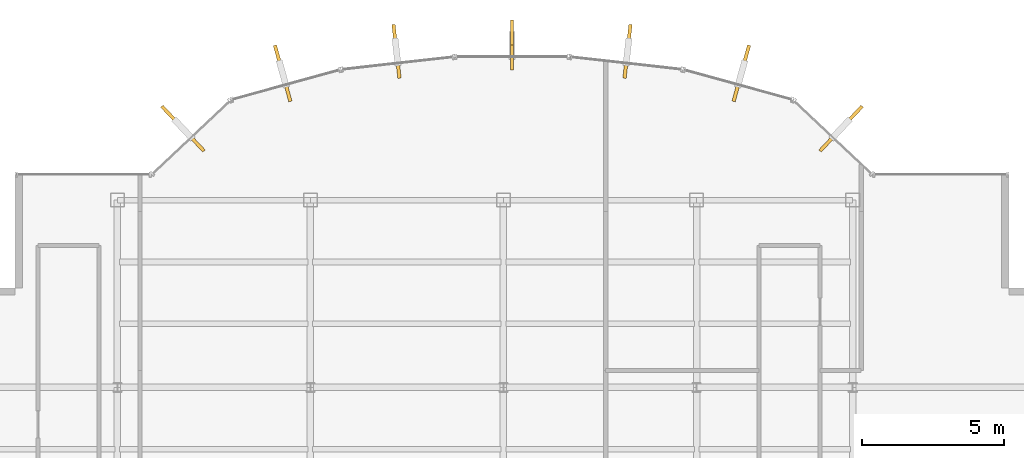
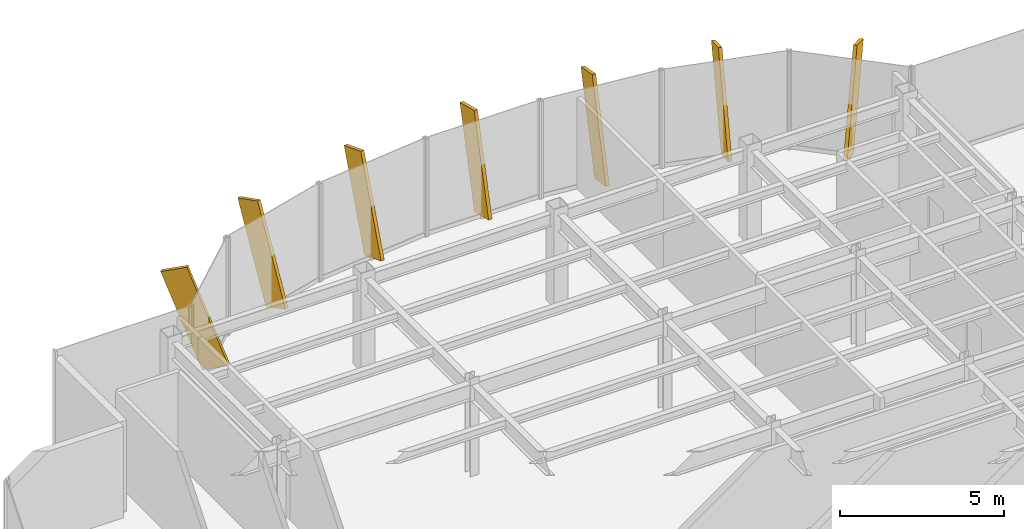
# One storey, part 21 of 22: 7 shading devices.
"""IFC4 building model written with IfcOpenShell, lengths in metres."""

from ifc_helpers import new_model, si_unit, derived_unit, direction, frame, origin, origin_2d, place, context, subcontext, project, spatial, rectangle, extrude, source, transform, mapped, material, type_object, element, save


model = new_model("IFC4")

# Units and contexts
model_context = context("Model", 3, precision=1e-05, world=origin(), true_north=direction((0.0, 1.0)))
body_context = subcontext(model_context, "Body", "Model", "MODEL_VIEW")
ifc_project = project(units=[si_unit("LENGTHUNIT", "METRE"), si_unit("AREAUNIT", "SQUARE_METRE"), si_unit("VOLUMEUNIT", "CUBIC_METRE"), si_unit("PLANEANGLEUNIT", "RADIAN"), si_unit("MASSUNIT", "GRAM", prefix="KILO"), derived_unit("THERMALTRANSMITTANCEUNIT", [(si_unit("POWERUNIT", "WATT"), 1), (si_unit("LENGTHUNIT", "METRE"), -2), (si_unit("THERMODYNAMICTEMPERATUREUNIT", "KELVIN"), -1)])], contexts=[model_context])

# Site, building, storey
site_placement = place(None, origin())
site = spatial("IfcSite", under=ifc_project, at=site_placement, CompositionType="ELEMENT")
building_placement = place(site_placement, origin())
building = spatial("IfcBuilding", under=site, at=building_placement, Name="Skarnbrae Concourse Arena and Tower", CompositionType="ELEMENT")
storey_placement = place(building_placement, frame((0.0, 0.0, 284.35009765625)))
storey = spatial("IfcBuildingStorey", under=building, at=storey_placement, Name="L74", CompositionType="ELEMENT", Elevation=284.35009765625)

# Shading devices
ifc_material = material(Name="Bronze anodised aluminium 6063-T6", Category="aluminium")
shading_device_type = type_object("IfcShadingDeviceType", Name="SHD-BRONZE-FIN-900", PredefinedType="USERDEFINED", material=ifc_material)
shared_shape = source(origin(), body_context, "Body", "SweptSolid", [
    extrude(rectangle(XDim=0.1201171875, YDim=0.89990234375, at=origin_2d()), origin(), (0.0, 0.0, 1.0), 3.64990234375),
])
for number, where, z_axis, x_axis, name in (
    (1, (32.63720703125, 36.435302734375, 0.125244140625), (0.249654525872, 0.265205022033, 0.931310320999), (0.728131751529, -0.685437198009, 0.0), "L74 Outward-leaning bronze shading fin 08"),
    (2, (29.419921875, 38.288330078125, 0.101318359375), (0.087333025047, 0.316887720193, 0.944433753911), (0.964058316208, -0.265690728011, 0.0), "L74 Outward-leaning bronze shading fin 09"),
    (3, (25.51025390625, 39.12060546875, 0.076171875), (0.031877702712, 0.284240906458, 0.95822279203), (0.993769864509, -0.111451587667, 0.0), "L74 Outward-leaning bronze shading fin 10"),
    (4, (21.5, 39.42529296875, 0.05419921875), (0.0, 0.2419218956, 0.970295726276), (1.0, 0.0, 0.0), "L74 Outward-leaning bronze shading fin 11"),
    (5, (17.48974609375, 39.12060546875, 0.076171875), (-0.031877702712, 0.284240906458, 0.95822279203), (0.993769864509, 0.111451587667, 0.0), "L74 Outward-leaning bronze shading fin 12"),
    (6, (13.580078125, 38.288330078125, 0.101318359375), (-0.087333025047, 0.316887720193, 0.944433753911), (0.964058316208, 0.265690728011, 0.0), "L74 Outward-leaning bronze shading fin 13"),
    (7, (10.36279296875, 36.435302734375, 0.125244140625), (-0.249654525872, 0.265205022033, 0.931310320999), (0.728131751529, 0.685437198009, 0.0), "L74 Outward-leaning bronze shading fin 14"),
):
    element("IfcShadingDevice", number, at=place(storey_placement, frame(where, z_axis=z_axis, x_axis=x_axis)), inside=storey, type_object=shading_device_type, Name=name, ObjectType="FIN", PredefinedType="USERDEFINED", context=body_context, shape_type="MappedRepresentation", body=[
        mapped(shared_shape, transform((0.0, 0.0, 0.0))),
    ])

save(model, "model.ifc")
